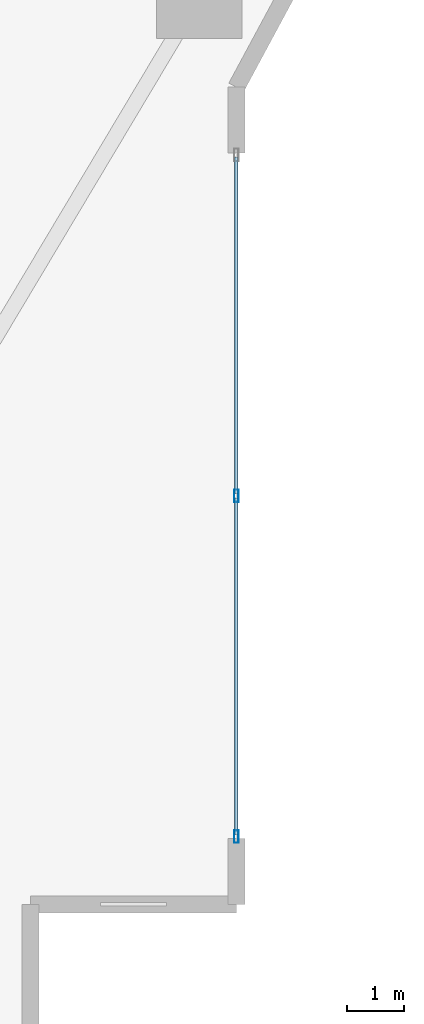
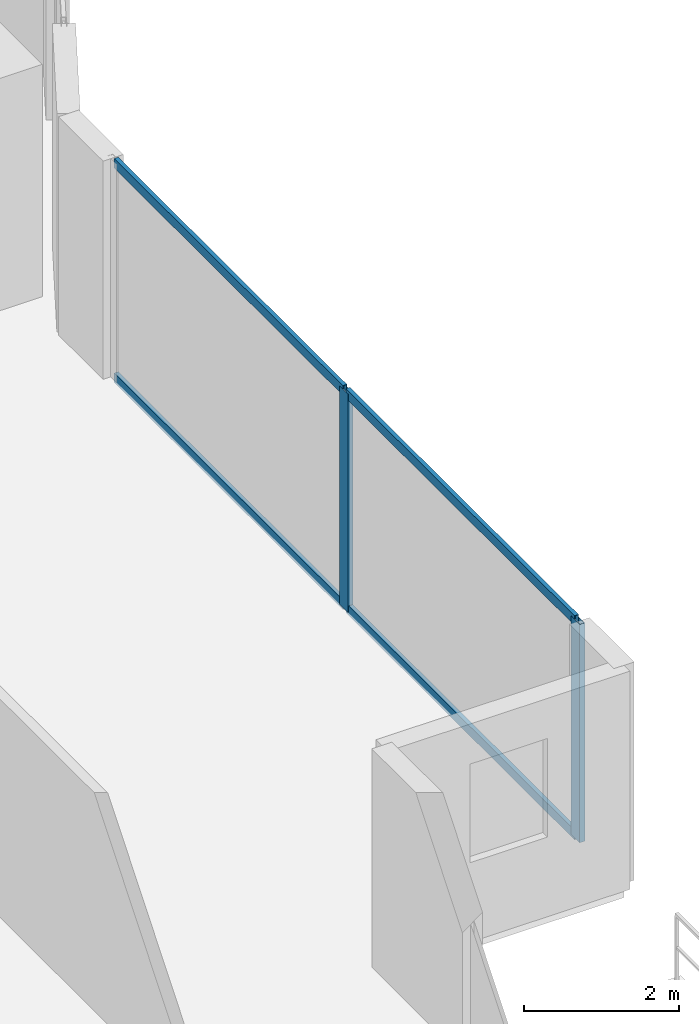
# One storey, part 10 of 29: 6 members, 1 element without a shape of its own.
"""IFC4 building model written with IfcOpenShell, lengths in metres."""

from ifc_helpers import new_model, si_unit, direction, frame, origin, origin_2d, place, context, subcontext, project, spatial, hollow_rectangle, extrude, material, layer, layer_set, material_profile, profile_set, type_object, element, aggregate, save


model = new_model("IFC4")

# Units and contexts
model_context = context("Model", 3, precision=1e-05, world=origin(), true_north=direction((0.0, 1.0)))
body_context = subcontext(model_context, "Body", "Model", "MODEL_VIEW")
ifc_project = project(units=[si_unit("LENGTHUNIT", "METRE"), si_unit("AREAUNIT", "SQUARE_METRE"), si_unit("VOLUMEUNIT", "CUBIC_METRE"), si_unit("PLANEANGLEUNIT", "RADIAN"), si_unit("MASSUNIT", "GRAM", prefix="KILO")], contexts=[model_context])

# Site, building, storey
site_placement = place(None, origin())
site = spatial("IfcSite", under=ifc_project, at=site_placement, CompositionType="ELEMENT")
building_placement = place(site_placement, origin())
building = spatial("IfcBuilding", under=site, at=building_placement, Name="Zuhayl Quay Hotel", CompositionType="ELEMENT")
storey_placement = place(building_placement, frame((0.0, 0.0, 38.550048828125)))
storey = spatial("IfcBuildingStorey", under=building, at=storey_placement, Name="L08", CompositionType="ELEMENT", Elevation=38.550048828125)

# Curtain wall, members
ifc_material_1 = material(Name="Anodised Aluminium 6063-T6", Category="aluminium")
ifc_layer = layer(ifc_material_1, 0.18994140625, Name="Anodised Aluminium 6063-T6", Category="aluminium")
ifc_layer_set = layer_set([ifc_layer], Name="Anodised Aluminium 6063-T6")
curtain_wall_type = type_object("IfcCurtainWallType", Name="CW_SYS_Z1", PredefinedType="USERDEFINED", material=ifc_layer_set)
curtain_wall_placement = place(storey_placement, origin())
curtain_wall = element("IfcCurtainWall", 1, at=curtain_wall_placement, inside=storey, type_object=curtain_wall_type, Name="L08 Curtain Wall ENV_L08_E14_CW1", ObjectType="UNITISED CURTAIN WALL", PredefinedType="USERDEFINED")
ifc_material_2 = material(Name="Black-anodised aluminium 6063-T6", Category="aluminium")
ifc_material_profile_1 = material_profile(ifc_material_2, hollow_rectangle(XDim=0.074951171875, YDim=0.219970703125, WallThickness=0.00390625, at=origin_2d()), Name="ALU220X75")
ifc_profile_set_1 = profile_set([ifc_material_profile_1], Name="Black-anodised aluminium 6063-T6")
member_type_1 = type_object("IfcMemberType", Name="MB_CW_MUL_220", PredefinedType="MULLION", material=ifc_profile_set_1)
member_1_placement = place(storey_placement, frame((25.699951171875, -12.35009765625, 0.0), z_axis=(0.0, 0.0, 1.0), x_axis=(1.0, 0.0, 0.0)))
member_1 = element("IfcMember", 2, at=member_1_placement, type_object=member_type_1, Name="CW-Z1 mullion 2", PredefinedType="MULLION", context=body_context, shape_type="SweptSolid", body=[
    extrude(hollow_rectangle(XDim=0.074951171875, YDim=0.219970703125, WallThickness=0.00390625, at=origin_2d()), origin(), (0.0, 0.0, 1.0), 3.429931640625),
])
member_2_placement = place(storey_placement, frame((25.699951171875, -18.3125, 0.0), z_axis=(0.0, 0.0, 1.0), x_axis=(1.0, 0.0, 0.0)))
member_2 = element("IfcMember", 3, at=member_2_placement, type_object=member_type_1, Name="CW-Z1 mullion 3", PredefinedType="MULLION", context=body_context, shape_type="SweptSolid", body=[
    extrude(hollow_rectangle(XDim=0.074951171875, YDim=0.219970703125, WallThickness=0.00390625, at=origin_2d()), origin(), (0.0, 0.0, 1.0), 3.429931640625),
])
ifc_material_profile_2 = material_profile(ifc_material_2, hollow_rectangle(XDim=0.06005859375, YDim=0.14990234375, WallThickness=0.00341796875, at=origin_2d()), Name="ALU150X60")
ifc_profile_set_2 = profile_set([ifc_material_profile_2], Name="Black-anodised aluminium 6063-T6")
member_type_2 = type_object("IfcMemberType", Name="MB_CW_TRN_150", PredefinedType="USERDEFINED", material=ifc_profile_set_2)
member_3_placement = place(storey_placement, frame((25.699951171875, -6.425048828125, 0.030029296875), z_axis=(0.0, -1.0, 0.0), x_axis=(1.0, 0.0, 0.0)))
member_3 = element("IfcMember", 4, at=member_3_placement, type_object=member_type_2, Name="CW-Z1 transom 1.1", ObjectType="TRANSOM", PredefinedType="USERDEFINED", context=body_context, shape_type="SweptSolid", body=[
    extrude(hollow_rectangle(XDim=0.06005859375, YDim=0.14990234375, WallThickness=0.00341796875, at=origin_2d()), origin(), (0.0, 0.0, 1.0), 5.887451171875),
])
member_4_placement = place(storey_placement, frame((25.699951171875, -6.425048828125, 3.39990234375), z_axis=(0.0, -1.0, 0.0), x_axis=(1.0, 0.0, 0.0)))
member_4 = element("IfcMember", 5, at=member_4_placement, type_object=member_type_2, Name="CW-Z1 transom 1.2", ObjectType="TRANSOM", PredefinedType="USERDEFINED", context=body_context, shape_type="SweptSolid", body=[
    extrude(hollow_rectangle(XDim=0.06005859375, YDim=0.14990234375, WallThickness=0.00341796875, at=origin_2d()), origin(), (0.0, 0.0, 1.0), 5.887451171875),
])
member_5_placement = place(storey_placement, frame((25.699951171875, -12.387451171875, 0.030029296875), z_axis=(0.0, -1.0, 0.0), x_axis=(1.0, 0.0, 0.0)))
member_5 = element("IfcMember", 6, at=member_5_placement, type_object=member_type_2, Name="CW-Z1 transom 2.1", ObjectType="TRANSOM", PredefinedType="USERDEFINED", context=body_context, shape_type="SweptSolid", body=[
    extrude(hollow_rectangle(XDim=0.06005859375, YDim=0.14990234375, WallThickness=0.00341796875, at=origin_2d()), origin(), (0.0, 0.0, 1.0), 5.887451171875),
])
member_6_placement = place(storey_placement, frame((25.699951171875, -12.387451171875, 3.39990234375), z_axis=(0.0, -1.0, 0.0), x_axis=(1.0, 0.0, 0.0)))
member_6 = element("IfcMember", 7, at=member_6_placement, type_object=member_type_2, Name="CW-Z1 transom 2.2", ObjectType="TRANSOM", PredefinedType="USERDEFINED", context=body_context, shape_type="SweptSolid", body=[
    extrude(hollow_rectangle(XDim=0.06005859375, YDim=0.14990234375, WallThickness=0.00341796875, at=origin_2d()), origin(), (0.0, 0.0, 1.0), 5.887451171875),
])
aggregate(curtain_wall, [member_1, member_2, member_3, member_4, member_5, member_6])

save(model, "model.ifc")
